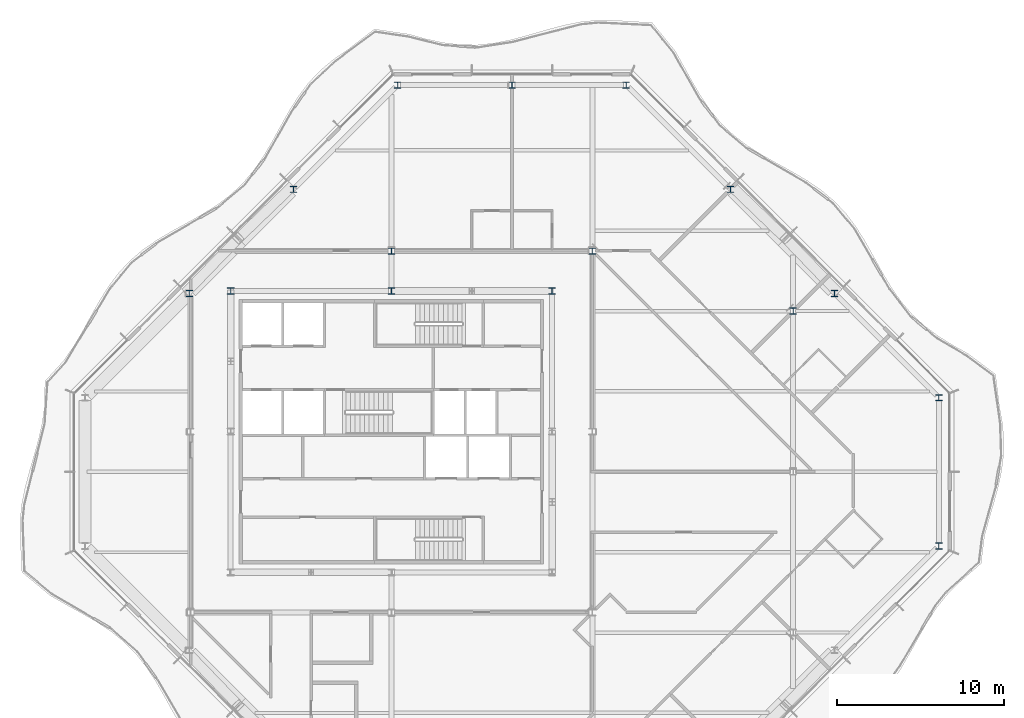
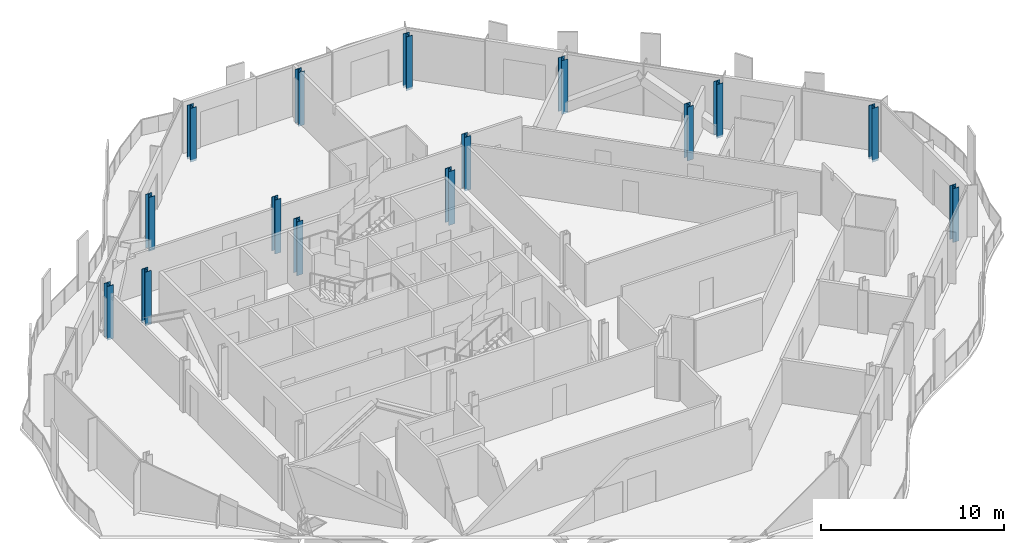
# One storey, part 2 of 16: 15 columns.
"""IFC4 building model written with IfcOpenShell, lengths in metres."""

from ifc_helpers import new_model, si_unit, direction, frame, origin, origin_2d, place, context, subcontext, project, spatial, i_section, extrude, material, material_profile, profile_set, type_object, element, save


model = new_model("IFC4")

# Units and contexts
model_context = context("Model", 3, precision=1e-05, world=origin(), true_north=direction((0.0, 1.0)))
body_context = subcontext(model_context, "Body", "Model", "MODEL_VIEW")
ifc_project = project(units=[si_unit("LENGTHUNIT", "METRE"), si_unit("AREAUNIT", "SQUARE_METRE"), si_unit("VOLUMEUNIT", "CUBIC_METRE"), si_unit("PLANEANGLEUNIT", "RADIAN"), si_unit("MASSUNIT", "GRAM", prefix="KILO")], contexts=[model_context])

# Site, building, storey
site_placement = place(None, origin())
site = spatial("IfcSite", under=ifc_project, at=site_placement, CompositionType="ELEMENT")
building_placement = place(site_placement, origin())
building = spatial("IfcBuilding", under=site, at=building_placement, Name="Cairn Pilgrim Tower", CompositionType="ELEMENT")
storey_placement = place(building_placement, frame((0.0, 0.0, 288.60009765625)))
storey = spatial("IfcBuildingStorey", under=building, at=storey_placement, Name="L74", CompositionType="ELEMENT", Elevation=288.60009765625)

# Columns
ifc_material = material(Name="Structural steel S355J2", Category="steel")
ifc_material_profile_1 = material_profile(ifc_material, i_section(OverallWidth=0.39111328125, OverallDepth=0.367919921875, WebThickness=0.014892578125, FlangeThickness=0.02392578125, FilletRadius=0.014892578125, at=origin_2d()), Name="HD 400x187")
ifc_profile_set_1 = profile_set([ifc_material_profile_1], Name="Structural steel S355J2")
column_type_1 = type_object("IfcColumnType", Name="HD 400x187", PredefinedType="COLUMN", material=ifc_profile_set_1)
for number, where, z_axis, x_axis, name in (
    (1, (39.89990234375, -4.42724609375, -0.150146484375), (0.0, 0.0, 1.0), (1.0, 0.0, 0.0), "PC4-E1"),
    (2, (39.89990234375, 4.42724609375, -0.150146484375), (0.0, 0.0, 1.0), (1.0, 0.0, 0.0), "PC4-NE1"),
    (3, (33.67578125, 10.651611328125, -0.150146484375), (0.0, 0.0, 1.0), (1.0, 0.0, 0.0), "PC4-NE2"),
    (4, (27.451416015625, 16.875732421875, -0.150146484375), (0.0, 0.0, 1.0), (1.0, 0.0, 0.0), "PC4-NE3"),
    (5, (21.227294921875, 23.10009765625, -0.150146484375), (0.0, 0.0, 1.0), (1.0, 0.0, 0.0), "PC4-N1"),
    (6, (14.39990234375, 23.10009765625, -0.150146484375), (0.0, 0.0, 1.0), (1.0, 0.0, 0.0), "PC4-N2"),
    (7, (7.57275390625, 23.10009765625, -0.150146484375), (0.0, 0.0, 1.0), (1.0, 0.0, 0.0), "PC4-NW1"),
    (8, (1.348388671875, 16.875732421875, -0.150146484375), (0.0, 0.0, 1.0), (1.0, 0.0, 0.0), "PC4-NW2"),
    (9, (-4.875732421875, 10.651611328125, -0.150146484375), (0.0, 0.0, 1.0), (1.0, 0.0, 0.0), "PC4-NW3"),
):
    element("IfcColumn", number, at=place(storey_placement, frame(where, z_axis=z_axis, x_axis=x_axis)), inside=storey, type_object=column_type_1, Name=name, PredefinedType="COLUMN", context=body_context, shape_type="SweptSolid", body=[
        extrude(i_section(OverallWidth=0.39111328125, OverallDepth=0.367919921875, WebThickness=0.014892578125, FlangeThickness=0.02392578125, FilletRadius=0.014892578125, at=origin_2d()), origin(), (0.0, 0.0, 1.0), 3.60009765625),
    ])
ifc_material_profile_2 = material_profile(ifc_material, i_section(OverallWidth=0.39404296875, OverallDepth=0.375, WebThickness=0.017333984375, FlangeThickness=0.027587890625, FilletRadius=0.014892578125, at=origin_2d()), Name="HD 400x216")
ifc_profile_set_2 = profile_set([ifc_material_profile_2], Name="Structural steel S355J2")
column_type_2 = type_object("IfcColumnType", Name="HD 400x216", PredefinedType="COLUMN", material=ifc_profile_set_2)
for number, where, z_axis, x_axis, name in (
    (10, (7.199951171875, 13.199951171875, -0.150146484375), (0.0, 0.0, 1.0), (1.0, 0.0, 0.0), "IC-7"),
    (11, (19.199951171875, 13.199951171875, -0.150146484375), (0.0, 0.0, 1.0), (1.0, 0.0, 0.0), "IC-8"),
    (12, (31.199951171875, 9.60009765625, -0.150146484375), (0.0, 0.0, 1.0), (1.0, 0.0, 0.0), "WC-WE+2"),
):
    element("IfcColumn", number, at=place(storey_placement, frame(where, z_axis=z_axis, x_axis=x_axis)), inside=storey, type_object=column_type_2, Name=name, PredefinedType="COLUMN", context=body_context, shape_type="SweptSolid", body=[
        extrude(i_section(OverallWidth=0.39404296875, OverallDepth=0.375, WebThickness=0.017333984375, FlangeThickness=0.027587890625, FilletRadius=0.014892578125, at=origin_2d()), origin(), (0.0, 0.0, 1.0), 3.60009765625),
    ])
ifc_material_profile_3 = material_profile(ifc_material, i_section(OverallWidth=0.39794921875, OverallDepth=0.386962890625, WebThickness=0.02099609375, FlangeThickness=0.033203125, FilletRadius=0.014892578125, at=origin_2d()), Name="HD 400x262")
ifc_profile_set_3 = profile_set([ifc_material_profile_3], Name="Structural steel S355J2")
column_type_3 = type_object("IfcColumnType", Name="HD 400x262", PredefinedType="COLUMN", material=ifc_profile_set_3)
for number, where, z_axis, x_axis, name in (
    (13, (-2.39990234375, 10.800048828125, -0.150146484375), (0.0, 0.0, 1.0), (1.0, 0.0, 0.0), "KC-6"),
    (14, (7.199951171875, 10.800048828125, -0.150146484375), (0.0, 0.0, 1.0), (1.0, 0.0, 0.0), "KC-7"),
    (15, (16.800048828125, 10.800048828125, -0.150146484375), (0.0, 0.0, 1.0), (1.0, 0.0, 0.0), "KC-8"),
):
    element("IfcColumn", number, at=place(storey_placement, frame(where, z_axis=z_axis, x_axis=x_axis)), inside=storey, type_object=column_type_3, Name=name, PredefinedType="COLUMN", context=body_context, shape_type="SweptSolid", body=[
        extrude(i_section(OverallWidth=0.39794921875, OverallDepth=0.386962890625, WebThickness=0.02099609375, FlangeThickness=0.033203125, FilletRadius=0.014892578125, at=origin_2d()), origin(), (0.0, 0.0, 1.0), 3.60009765625),
    ])

save(model, "model.ifc")
